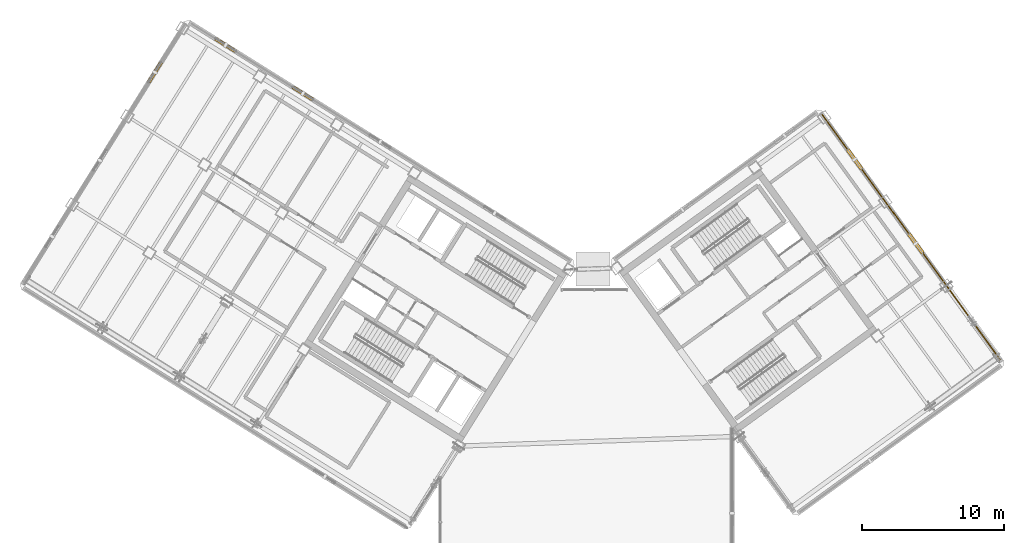
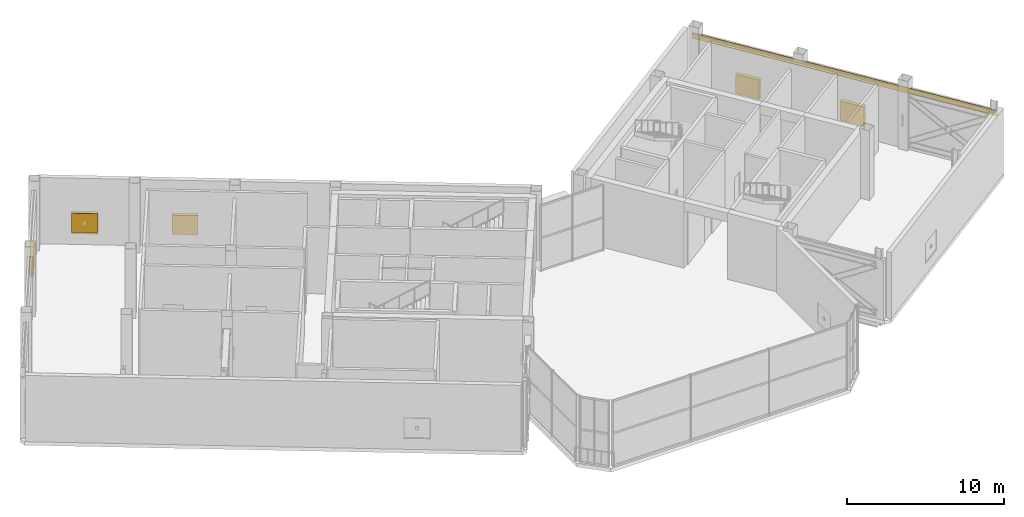
# One storey, part 32 of 32: 5 shading devices, 1 covering.
"""IFC4 building model written with IfcOpenShell, lengths in metres."""

import ifcopenshell
import ifcopenshell.guid

model = None  # the IFC model being written
_history = None  # IfcOwnerHistory: only IFC2X3 demands one
_inside = {}  # id of a spatial element -> (the spatial element, [elements in it])
_under = {}  # id of a project, library or spatial element -> (it, [spatial elements below it])
_declared = {}  # id of a project -> (the project, [libraries it declares])
_typed = {}  # id of a type object -> (the type object, [elements of that type])
_made_of = {}  # id of a material, layer set ... -> (it, [elements and type objects made of it])


def new_model(schema):
    """Start an empty IFC model of exactly this schema.

    Asked for "IFC4X3", IfcOpenShell would pick the latest addendum, in which some entities
    have other attributes; the version numbers below select the first issue.
    IFC2X3 requires an IfcOwnerHistory on every rooted entity: one is made here for all.
    """
    global model, _history
    if schema == "IFC4X3":
        model = ifcopenshell.file(schema_version=(4, 3, 0, 0))
    else:
        model = ifcopenshell.file(schema=schema)
    _inside.clear()
    _under.clear()
    _declared.clear()
    _typed.clear()
    _made_of.clear()
    _history = None
    if model.schema == "IFC2X3":
        org = make("IfcOrganization", Name="unknown")
        user = make(
            "IfcPersonAndOrganization",
            ThePerson=make("IfcPerson", FamilyName="unknown"),
            TheOrganization=org,
        )
        app = make(
            "IfcApplication",
            ApplicationDeveloper=org,
            Version="unknown",
            ApplicationFullName="unknown",
            ApplicationIdentifier="unknown",
        )
        _history = make(
            "IfcOwnerHistory",
            OwningUser=user,
            OwningApplication=app,
            ChangeAction="ADDED",
            CreationDate=0,
        )
    return model


def make(cls, **values):
    """One entity of the class cls with the attributes given. An attribute that is None is left unset."""
    return model.create_entity(
        cls, **{name: value for name, value in values.items() if value is not None}
    )


def rooted(cls, **values):
    """An entity with a GlobalId (a new one), such as an element, a storey or a relation."""
    return make(cls, GlobalId=ifcopenshell.guid.new(), OwnerHistory=_history, **values)


def si_unit(unit_type, name, prefix=None):
    """IfcSIUnit, for example si_unit("LENGTHUNIT", "METRE", prefix="MILLI")."""
    return make("IfcSIUnit", UnitType=unit_type, Prefix=prefix, Name=name)


def assignment(units):
    """IfcUnitAssignment: the units of a project."""
    return None if units is None else make("IfcUnitAssignment", Units=units)


def point(xyz):
    """IfcCartesianPoint."""
    return None if xyz is None else make("IfcCartesianPoint", Coordinates=xyz)


def direction(xyz):
    """IfcDirection."""
    return None if xyz is None else make("IfcDirection", DirectionRatios=xyz)


def frame(location, z_axis=None, x_axis=None):
    """IfcAxis2Placement3D, a coordinate frame: its origin and axes. An axis left out is left unset."""
    return make(
        "IfcAxis2Placement3D",
        Location=point(location),
        Axis=direction(z_axis),
        RefDirection=direction(x_axis),
    )


def frame_2d(location, x_axis=None):
    """IfcAxis2Placement2D, a coordinate frame in the plane: its origin and x axis."""
    return make(
        "IfcAxis2Placement2D", Location=point(location), RefDirection=direction(x_axis)
    )


def origin():
    """The frame at (0, 0, 0) with its axes left unset."""
    return frame((0.0, 0.0, 0.0))


def origin_2d():
    """The frame at (0, 0) in the plane with its x axis left unset."""
    return frame_2d((0.0, 0.0))


def place(relative_to, where):
    """IfcLocalPlacement: puts the frame where relative to a parent placement (None: the world)."""
    return make(
        "IfcLocalPlacement", PlacementRelTo=relative_to, RelativePlacement=where
    )


def context(
    kind, dimensions, precision=None, world=None, true_north=None, identifier=None
):
    """IfcGeometricRepresentationContext, for example the 3D "Model" context."""
    return make(
        "IfcGeometricRepresentationContext",
        ContextIdentifier=identifier,
        ContextType=kind,
        CoordinateSpaceDimension=dimensions,
        Precision=precision,
        WorldCoordinateSystem=world,
        TrueNorth=true_north,
    )


def subcontext(parent, identifier, kind, view, scale=None):
    """IfcGeometricRepresentationSubContext, for example "Body" below "Model"."""
    return make(
        "IfcGeometricRepresentationSubContext",
        ContextIdentifier=identifier,
        ContextType=kind,
        ParentContext=parent,
        TargetScale=scale,
        TargetView=view,
    )


def project(units=None, contexts=None):
    """IfcProject with its units and contexts."""
    return rooted(
        "IfcProject",
        Name="project",
        RepresentationContexts=contexts,
        UnitsInContext=assignment(units),
    )


def spatial(cls, under=None, at=None, **own):
    """A site, building, storey or space (cls), placed at a placement, below another one or the project."""
    s = rooted(cls, ObjectPlacement=at, **own)
    if under is not None:
        _under.setdefault(under.id(), (under, []))[1].append(s)
    return s


def profile(cls, at=None, kind="AREA", **sizes):
    """A parametric profile (cls). Its sizes go by their IFC names, for example OverallWidth=200.0."""
    return make(cls, ProfileType=kind, Position=at, **sizes)


def rectangle(**sizes):
    """IfcRectangleProfileDef."""
    return profile("IfcRectangleProfileDef", **sizes)


def extrude(swept, where, along, depth):
    """IfcExtrudedAreaSolid: the profile swept, set in the frame where, extruded along a direction by depth."""
    return make(
        "IfcExtrudedAreaSolid",
        SweptArea=swept,
        Position=where,
        ExtrudedDirection=direction(along),
        Depth=depth,
    )


def shape(context_of_items, identifier, shape_type, items):
    """IfcShapeRepresentation: the items that make up one representation, for example the "Body"."""
    return make(
        "IfcShapeRepresentation",
        ContextOfItems=context_of_items,
        RepresentationIdentifier=identifier,
        RepresentationType=shape_type,
        Items=items,
    )


def source(mapping_origin, context_of_items, identifier, shape_type, items):
    """IfcRepresentationMap: a shape defined once, which mapped items show again and again."""
    return make(
        "IfcRepresentationMap",
        MappingOrigin=mapping_origin,
        MappedRepresentation=shape(context_of_items, identifier, shape_type, items),
    )


def transform(
    local_origin,
    x_axis=None,
    y_axis=None,
    z_axis=None,
    scale=None,
    scale2=None,
    scale3=None,
    uniform=True,
):
    """IfcCartesianTransformationOperator3D, or its non-uniform kind. x_axis, y_axis, z_axis: its Axis1, 2, 3."""
    if uniform:
        return make(
            "IfcCartesianTransformationOperator3D",
            Axis1=direction(x_axis),
            Axis2=direction(y_axis),
            LocalOrigin=point(local_origin),
            Scale=scale,
            Axis3=direction(z_axis),
        )
    return make(
        "IfcCartesianTransformationOperator3DnonUniform",
        Axis1=direction(x_axis),
        Axis2=direction(y_axis),
        LocalOrigin=point(local_origin),
        Scale=scale,
        Axis3=direction(z_axis),
        Scale2=scale2,
        Scale3=scale3,
    )


def mapped(mapping_source, mapping_target):
    """IfcMappedItem: shows the shape of a source again, moved by a transform."""
    return make(
        "IfcMappedItem", MappingSource=mapping_source, MappingTarget=mapping_target
    )


def material(Name=None, Category=None):
    """IfcMaterial."""
    return make("IfcMaterial", Name=Name, Category=Category)


def layer(
    of_material, thickness, ventilated=None, Name=None, Category=None, Priority=None
):
    """IfcMaterialLayer: one layer of a wall or slab, of a material (None: an air gap)."""
    return make(
        "IfcMaterialLayer",
        Material=of_material,
        LayerThickness=thickness,
        IsVentilated=ventilated,
        Name=Name,
        Category=Category,
        Priority=Priority,
    )


def layer_set(layers, Name=None):
    """IfcMaterialLayerSet."""
    return make("IfcMaterialLayerSet", MaterialLayers=layers, LayerSetName=Name)


def made_of(thing, what):
    """Note that an element or type object is made of a material, layer set ...; save() writes the relation."""
    if what is not None:
        _made_of.setdefault(what.id(), (what, []))[1].append(thing)
    return thing


def type_object(cls, material=None, **own):
    """A type object (cls), such as IfcWallType, which elements share."""
    return made_of(rooted(cls, **own), material)


def element(
    cls,
    number,
    at=None,
    inside=None,
    cuts=None,
    type_object=None,
    material=None,
    context=None,
    identifier="Body",
    shape_type=None,
    held_by="IfcProductDefinitionShape",
    body=None,
    shapes=None,
    **own,
):
    """One element of the class cls, such as IfcWall. Its Tag is "e" and its number.

    at: its placement. inside: the storey or other place that contains it. cuts: it is an
    opening in that element (IfcRelVoidsElement). A single representation is given by context,
    identifier, shape_type and body (its items); several are given by shapes. held_by: the class
    of the entity that holds the representations. save() writes the other relations.
    """
    e = rooted(cls, Tag="e%d" % number, ObjectPlacement=at, **own)
    if body is not None:
        shapes = [shape(context, identifier, shape_type, body)]
    if shapes is not None:
        e.Representation = make(held_by, Representations=shapes)
    if inside is not None:
        _inside.setdefault(inside.id(), (inside, []))[1].append(e)
    if cuts is not None:
        rooted(
            "IfcRelVoidsElement", RelatingBuildingElement=cuts, RelatedOpeningElement=e
        )
    if type_object is not None:
        _typed.setdefault(type_object.id(), (type_object, []))[1].append(e)
    return made_of(e, material)


def aggregate(whole, parts):
    """IfcRelAggregates: a whole, such as a stair, and the parts it consists of."""
    return rooted("IfcRelAggregates", RelatingObject=whole, RelatedObjects=parts)


def save(model, path):
    """Write the relations noted so far, then the file.

    IfcRelAggregates (storeys below a building ...), IfcRelContainedInSpatialStructure (elements
    in a storey), IfcRelDefinesByType, IfcRelAssociatesMaterial and IfcRelDeclares: one each for
    every whole, place, type object, material and project.
    """
    for whole, parts in _under.values():
        aggregate(whole, parts)
    for where, things in _inside.values():
        rooted(
            "IfcRelContainedInSpatialStructure",
            RelatedElements=things,
            RelatingStructure=where,
        )
    for kind, things in _typed.values():
        rooted("IfcRelDefinesByType", RelatedObjects=things, RelatingType=kind)
    for what, things in _made_of.values():
        rooted("IfcRelAssociatesMaterial", RelatedObjects=things, RelatingMaterial=what)
    for by, libraries in _declared.values():
        rooted("IfcRelDeclares", RelatingContext=by, RelatedDefinitions=libraries)
    model.write(path)


model = new_model("IFC4")

# Units and contexts
model_context = context("Model", 3, precision=1e-05, world=origin(), true_north=direction((0.0, 1.0)))
body_context = subcontext(model_context, "Body", "Model", "MODEL_VIEW")
ifc_project = project(units=[si_unit("LENGTHUNIT", "METRE"), si_unit("AREAUNIT", "SQUARE_METRE"), si_unit("VOLUMEUNIT", "CUBIC_METRE"), si_unit("PLANEANGLEUNIT", "RADIAN"), si_unit("MASSUNIT", "GRAM", prefix="KILO")], contexts=[model_context])

# Site, building, storey
site_placement = place(None, origin())
site = spatial("IfcSite", under=ifc_project, at=site_placement, CompositionType="ELEMENT")
building_placement = place(site_placement, origin())
building = spatial("IfcBuilding", under=site, at=building_placement, Name="Tlacorven Tower", CompositionType="ELEMENT")
storey_placement = place(building_placement, frame((0.0, 0.0, 245.699951171875)))
storey = spatial("IfcBuildingStorey", under=building, at=storey_placement, Name="L62", CompositionType="ELEMENT", Elevation=245.699951171875)

# Covering
ifc_material_1 = material(Name="Precast concrete C45/55", Category="concrete")
ifc_layer = layer(ifc_material_1, 0.06005859375)
ifc_layer_set = layer_set([ifc_layer], Name="Precast concrete C45/55")
covering_type = type_object("IfcCoveringType", Name="CV-CLD-TERC", PredefinedType="CLADDING", material=ifc_layer_set)
shared_shape_1 = source(origin(), body_context, "Body", "SweptSolid", [
    extrude(rectangle(XDim=21.287353515625, YDim=0.06005859375, at=origin_2d()), origin(), (0.0, 0.0, 1.0), 0.419921875),
])
covering_placement = place(storey_placement, frame((64.799072265625, 26.75146484375, 4.255126953125), z_axis=(0.0, 0.0, 1.0), x_axis=(0.587785363163, -0.809016913823, 0.0)))
element("IfcCovering", 1, at=covering_placement, inside=storey, type_object=covering_type, Name="L62 Masonry-Frame Spandrel Cladding 5", PredefinedType="CLADDING", context=body_context, shape_type="MappedRepresentation", body=[
    mapped(shared_shape_1, transform((0.0, 0.0, 0.0), scale=1.0)),
])

# Shading devices
ifc_material_2 = material(Name="Anodised bronze aluminium acoustic louvre", Category="aluminium")
shading_device_type = type_object("IfcShadingDeviceType", Name="SH-LVR-WND", PredefinedType="JALOUSIE", material=ifc_material_2)
shared_shape_2 = source(origin(), body_context, "Body", "SweptSolid", [
    extrude(rectangle(XDim=1.659912109375, YDim=0.25, at=origin_2d()), origin(), (0.0, 0.0, 1.0), 1.5),
])
for number, where, z_axis, x_axis, name in (
    (2, (11.711181640625, 38.330322265625, 0.900146484375), (0.0, 0.0, 1.0), (0.529918940959, 0.84804829816, 0.0), "L62 Storm-Resistant Acoustic Louvre Bank 2.3"),
    (3, (16.677001953125, 40.239013671875, 0.900146484375), (0.0, 0.0, 1.0), (0.84804812172, -0.529919223323, 0.0), "L62 Storm-Resistant Acoustic Louvre Bank 3.1"),
    (4, (22.1044921875, 36.847412109375, 0.900146484375), (0.0, 0.0, 1.0), (0.84804812172, -0.529919223323, 0.0), "L62 Storm-Resistant Acoustic Louvre Bank 3.2"),
    (5, (60.83154296875, 32.21240234375, 0.900146484375), (0.0, 0.0, 1.0), (0.587785363163, -0.809016913823, 0.0), "L62 Storm-Resistant Acoustic Louvre Bank 5.1"),
    (6, (65.122314453125, 26.306396484375, 0.900146484375), (0.0, 0.0, 1.0), (0.587785363163, -0.809016913823, 0.0), "L62 Storm-Resistant Acoustic Louvre Bank 5.2"),
):
    element("IfcShadingDevice", number, at=place(storey_placement, frame(where, z_axis=z_axis, x_axis=x_axis)), inside=storey, type_object=shading_device_type, Name=name, PredefinedType="JALOUSIE", context=body_context, shape_type="MappedRepresentation", body=[
        mapped(shared_shape_2, transform((0.0, 0.0, 0.0), scale=1.0)),
    ])

save(model, "model.ifc")
